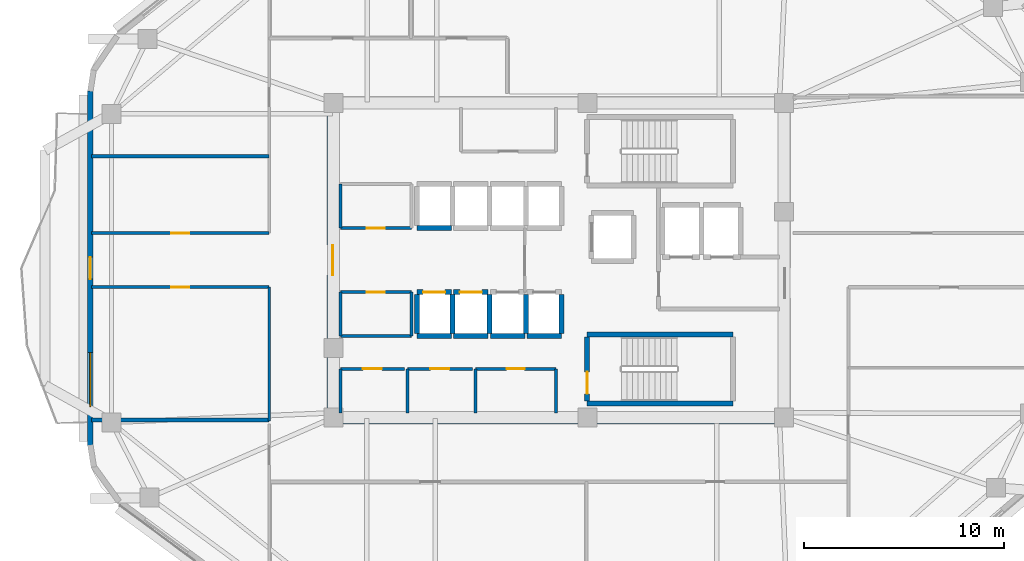
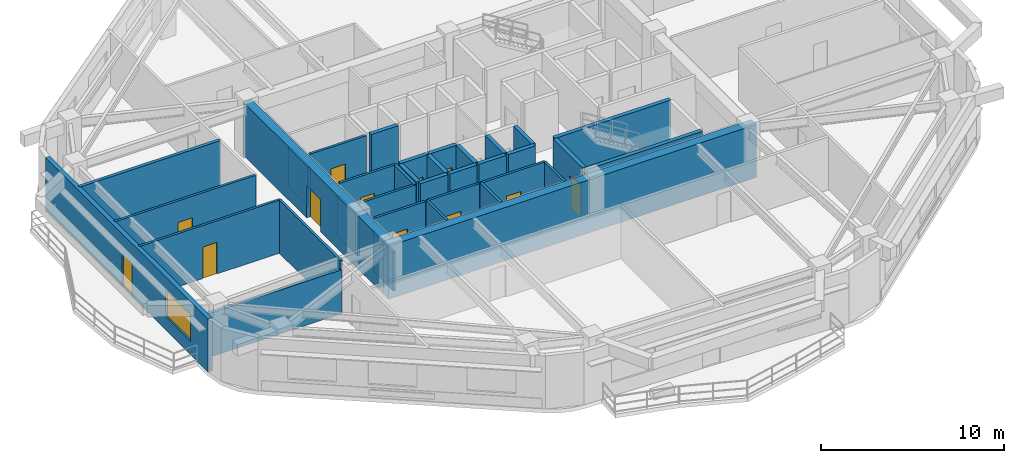
# One storey, part 3 of 9: 36 walls, 12 doors, 1 window, 13 openings.
"""IFC4 building model written with IfcOpenShell, lengths in metres."""

from ifc_helpers import new_model, si_unit, direction, frame, frame_2d, origin, place, context, subcontext, project, spatial, rectangle, extrude, material, layer, layer_set, type_object, element, fill, save


model = new_model("IFC4")

# Units and contexts
model_context = context("Model", 3, precision=1e-05, world=origin(), true_north=direction((0.0, 1.0)))
body_context = subcontext(model_context, "Body", "Model", "MODEL_VIEW")
ifc_project = project(units=[si_unit("LENGTHUNIT", "METRE"), si_unit("AREAUNIT", "SQUARE_METRE"), si_unit("VOLUMEUNIT", "CUBIC_METRE"), si_unit("PLANEANGLEUNIT", "RADIAN"), si_unit("MASSUNIT", "GRAM", prefix="KILO")], contexts=[model_context])

# Site, building, storey
site_placement = place(None, origin())
site = spatial("IfcSite", under=ifc_project, at=site_placement, CompositionType="ELEMENT")
building_placement = place(site_placement, origin())
building = spatial("IfcBuilding", under=site, at=building_placement, Name="Zulverin Broadcast Headquarters", CompositionType="ELEMENT")
storey_placement = place(building_placement, frame((0.0, 0.0, 189.60009765625)))
storey = spatial("IfcBuildingStorey", under=building, at=storey_placement, Name="L48", CompositionType="ELEMENT", Elevation=189.60009765625)

# Walls
ifc_material_1 = material(Name="Acoustic drywall steel stud", Category="steel")
ifc_layer_1 = layer(ifc_material_1, 0.199951171875, Name="Acoustic drywall steel stud", Category="steel")
ifc_layer_set_1 = layer_set([ifc_layer_1], Name="Acoustic drywall steel stud")
wall_type_1 = type_object("IfcWallType", Name="WL-ACOU-200", PredefinedType="PARTITIONING", material=ifc_layer_set_1)
wall_1_placement = place(storey_placement, frame((13.60498046875, 17.199951171875, 0.0), z_axis=(0.0, 0.0, 1.0), x_axis=(1.0, 0.0, 0.0)))
element("IfcWall", 1, at=wall_1_placement, inside=storey, type_object=wall_type_1, Name="L48 Room Partition Wall RP-09", PredefinedType="PARTITIONING", context=body_context, shape_type="SweptSolid", body=[
    extrude(rectangle(XDim=8.89501953125, YDim=0.199951171875, at=frame_2d((4.447509765625, 0.0))), origin(), (0.0, 0.0, 1.0), 2.922607421875),
])
wall_2_placement = place(storey_placement, frame((13.60498046875, 30.39990234375, 0.0), z_axis=(0.0, 0.0, 1.0), x_axis=(1.0, 0.0, 0.0)))
element("IfcWall", 2, at=wall_2_placement, inside=storey, type_object=wall_type_1, Name="L48 Room Partition Wall RP-15", PredefinedType="PARTITIONING", context=body_context, shape_type="SweptSolid", body=[
    extrude(rectangle(XDim=8.89501953125, YDim=0.199951171875, at=frame_2d((4.447509765625, 0.0))), origin(), (0.0, 0.0, 1.0), 3.539794921875),
])
ifc_material_2 = material(Name="Concrete C60/75", Category="concrete")
ifc_layer_2 = layer(ifc_material_2, 0.550048828125, Name="Concrete C60/75", Category="concrete")
ifc_layer_set_2 = layer_set([ifc_layer_2], Name="Concrete C60/75")
wall_type_2 = type_object("IfcWallType", Name="WL-CORE-550", PredefinedType="SHEAR", material=ifc_layer_set_2)
wall_3_placement = place(storey_placement, frame((25.39990234375, 17.27490234375, 0.0), z_axis=(0.0, 0.0, 1.0), x_axis=(1.0, 0.0, 0.0)))
element("IfcWall", 3, at=wall_3_placement, inside=storey, type_object=wall_type_2, Name="L48 Core South Shear Wall", PredefinedType="SHEAR", context=body_context, shape_type="SweptSolid", body=[
    extrude(rectangle(XDim=23.2001953125, YDim=0.550048828125, at=frame_2d((11.60009765625, 0.0))), origin(), (0.0, 0.0, 1.0), 3.539794921875),
])

# Wall, opening, door
wall_4_placement = place(storey_placement, frame((25.675048828125, 17.550048828125, 0.0), z_axis=(0.0, 0.0, 1.0), x_axis=(0.0, 1.0, 0.0)))
wall_4 = element("IfcWall", 4, at=wall_4_placement, inside=storey, type_object=wall_type_2, Name="L48 Core West Shear Wall", PredefinedType="SHEAR", context=body_context, shape_type="SweptSolid", body=[
    extrude(rectangle(XDim=15.300048828125, YDim=0.550048828125, at=frame_2d((7.64990234375, 0.0))), origin(), (0.0, 0.0, 1.0), 3.539794921875),
])
opening_1_placement = place(wall_4_placement, frame((6.89990234375, 0.0, 0.0)))
opening_1 = element("IfcOpeningElement", 5, at=opening_1_placement, cuts=wall_4, Name="Opening D-L48-CW1", PredefinedType="OPENING", context=body_context, shape_type="SweptSolid", body=[
    extrude(rectangle(XDim=1.5, YDim=2.14990234375, at=frame_2d((0.75, 1.074951171875))), frame((0.0, 0.284912109375, 0.0), z_axis=(0.0, -1.0, 0.0), x_axis=(1.0, 0.0, 0.0)), (0.0, 0.0, 1.0), 0.570068359375),
])
ifc_material_3 = material(Name="Fire-rated glazed steel frame", Category="steel")
door_type_1 = type_object("IfcDoorType", Name="DR-COR-1500", OperationType="DOUBLE_DOOR_SINGLE_SWING", PredefinedType="DOOR", material=ifc_material_3)
door_1_placement = place(opening_1_placement, origin())
door_1 = element("IfcDoor", 6, at=door_1_placement, inside=storey, type_object=door_type_1, Name="L48 Central Lift Lobby West Portal Door", OperationType="DOUBLE_DOOR_SINGLE_SWING", OverallHeight=2.14990234375, OverallWidth=1.5, PredefinedType="DOOR", context=body_context, shape_type="SweptSolid", body=[
    extrude(rectangle(XDim=1.5, YDim=2.14990234375, at=frame_2d((0.75, 1.074951171875))), frame((0.0, 0.02490234375, 0.0), z_axis=(0.0, -1.0, 0.0), x_axis=(1.0, 0.0, 0.0)), (0.0, 0.0, 1.0), 0.050048828125),
])
fill(opening_1, door_1)

# Wall, openings, door, window
ifc_material_4 = material(Name="Insulated pale-metal clad concrete spandrel C40/50", Category="concrete")
ifc_layer_3 = layer(ifc_material_4, 0.280029296875, Name="Insulated pale-metal clad concrete spandrel C40/50", Category="concrete")
ifc_layer_set_3 = layer_set([ifc_layer_3], Name="Insulated pale-metal clad concrete spandrel C40/50")
wall_type_3 = type_object("IfcWallType", Name="WL-EXT-280", PredefinedType="STANDARD", material=ifc_layer_set_3)
wall_5_placement = place(storey_placement, frame((13.5400390625, 33.673095703125, 0.0), z_axis=(0.0, 0.0, 1.0), x_axis=(0.0, -1.0, 0.0)))
wall_5 = element("IfcWall", 7, at=wall_5_placement, inside=storey, type_object=wall_type_3, Name="L48 Pale-Metal Clad Spandrel Wall 7", PredefinedType="STANDARD", context=body_context, shape_type="SweptSolid", body=[
    extrude(rectangle(XDim=17.751220703125, YDim=0.280029296875, at=frame_2d((8.87548828125, 0.0))), origin(), (0.0, 0.0, 1.0), 3.539794921875),
])
opening_2_placement = place(wall_5_placement, frame((8.32568359375, 0.0, 0.0)))
opening_2 = element("IfcOpeningElement", 8, at=opening_2_placement, cuts=wall_5, Name="Opening D-L48-TR7", PredefinedType="OPENING", context=body_context, shape_type="SweptSolid", body=[
    extrude(rectangle(XDim=1.10009765625, YDim=2.199951171875, at=frame_2d((0.550048828125, 1.10009765625))), frame((0.0, 0.14990234375, 0.0), z_axis=(0.0, -1.0, 0.0), x_axis=(1.0, 0.0, 0.0)), (0.0, 0.0, 1.0), 0.300048828125),
])
opening_3_placement = place(wall_5_placement, frame((13.109375, 0.0, 0.89990234375)))
opening_3 = element("IfcOpeningElement", 9, at=opening_3_placement, cuts=wall_5, Name="Opening W-L48-E71", PredefinedType="OPENING", context=body_context, shape_type="SweptSolid", body=[
    extrude(rectangle(XDim=2.699951171875, YDim=1.75, at=frame_2d((1.35009765625, 0.875))), frame((0.0, 0.14990234375, 0.0), z_axis=(0.0, -1.0, 0.0), x_axis=(1.0, 0.0, 0.0)), (0.0, 0.0, 1.0), 0.300048828125),
])
ifc_material_5 = material(Name="Thermally broken aluminium glazed", Category="aluminium")
door_type_2 = type_object("IfcDoorType", Name="DR-TERR-1100", OperationType="SINGLE_SWING_RIGHT", PredefinedType="DOOR", material=ifc_material_5)
door_2_placement = place(opening_2_placement, origin())
door_2 = element("IfcDoor", 10, at=door_2_placement, inside=storey, type_object=door_type_2, Name="L48 Planted Terrace Glazed Access Door 7", OperationType="SINGLE_SWING_RIGHT", OverallHeight=2.199951171875, OverallWidth=1.10009765625, PredefinedType="DOOR", context=body_context, shape_type="SweptSolid", body=[
    extrude(rectangle(XDim=1.10009765625, YDim=2.199951171875, at=frame_2d((0.550048828125, 1.10009765625))), frame((0.0, 0.02490234375, 0.0), z_axis=(0.0, -1.0, 0.0), x_axis=(1.0, 0.0, 0.0)), (0.0, 0.0, 1.0), 0.050048828125),
])
fill(opening_2, door_2)
ifc_material_6 = material(Name="Pale anodized aluminium frame with solar-control low-E double glazing", Category="aluminium")
window_type = type_object("IfcWindowType", Name="WIN-TWR-2700", PartitioningType="SINGLE_PANEL", PredefinedType="WINDOW", material=ifc_material_6)
window_placement = place(opening_3_placement, origin())
window = element("IfcWindow", 11, at=window_placement, inside=storey, type_object=window_type, Name="L48 Ribbon Glazing Window 7 1", OverallHeight=1.75, OverallWidth=2.699951171875, PartitioningType="SINGLE_PANEL", PredefinedType="WINDOW", context=body_context, shape_type="SweptSolid", body=[
    extrude(rectangle(XDim=2.699951171875, YDim=1.75, at=frame_2d((1.35009765625, 0.875))), frame((0.0, 0.030029296875, 0.0), z_axis=(0.0, -1.0, 0.0), x_axis=(1.0, 0.0, 0.0)), (0.0, 0.0, 1.0), 0.06005859375),
])
fill(opening_3, window)

# Wall, opening, door
ifc_material_7 = material(Name="Fire-rated gypsum stud partition", Category="gypsum")
ifc_layer_4 = layer(ifc_material_7, 0.14990234375, Name="Fire-rated gypsum stud partition", Category="gypsum")
ifc_layer_set_4 = layer_set([ifc_layer_4], Name="Fire-rated gypsum stud partition")
wall_type_4 = type_object("IfcWallType", Name="WL-PART-150", PredefinedType="PARTITIONING", material=ifc_layer_set_4)
wall_6_placement = place(storey_placement, frame((26.070068359375, 19.75, 0.0), z_axis=(0.0, 0.0, 1.0), x_axis=(1.0, 0.0, 0.0)))
wall_6 = element("IfcWall", 12, at=wall_6_placement, inside=storey, type_object=wall_type_4, Name="L48 Core Male WC Front Wall", PredefinedType="PARTITIONING", context=body_context, shape_type="SweptSolid", body=[
    extrude(rectangle(XDim=3.199951171875, YDim=0.14990234375, at=frame_2d((1.60009765625, 0.0))), origin(), (0.0, 0.0, 1.0), 3.539794921875),
])
opening_4_placement = place(wall_6_placement, frame((1.125, 0.0, 0.0)))
opening_4 = element("IfcOpeningElement", 13, at=opening_4_placement, cuts=wall_6, Name="Opening D-L48-SC1", PredefinedType="OPENING", context=body_context, shape_type="SweptSolid", body=[
    extrude(rectangle(XDim=0.949951171875, YDim=2.10009765625, at=frame_2d((0.47509765625, 1.050048828125))), frame((0.0, 0.0849609375, 0.0), z_axis=(0.0, -1.0, 0.0), x_axis=(1.0, 0.0, 0.0)), (0.0, 0.0, 1.0), 0.169921875),
])
ifc_material_8 = material(Name="Fire-rated moisture-resistant laminate leaf", Category="wood")
door_type_3 = type_object("IfcDoorType", Name="DR-WC-950", OperationType="SINGLE_SWING_LEFT", PredefinedType="DOOR", material=ifc_material_8)
door_3_placement = place(opening_4_placement, origin())
door_3 = element("IfcDoor", 14, at=door_3_placement, inside=storey, type_object=door_type_3, Name="L48 Male WC Door", OperationType="SINGLE_SWING_RIGHT", OverallHeight=2.10009765625, OverallWidth=0.949951171875, PredefinedType="DOOR", context=body_context, shape_type="SweptSolid", body=[
    extrude(rectangle(XDim=0.949951171875, YDim=2.10009765625, at=frame_2d((0.47509765625, 1.050048828125))), frame((0.0, 0.02490234375, 0.0), z_axis=(0.0, -1.0, 0.0), x_axis=(1.0, 0.0, 0.0)), (0.0, 0.0, 1.0), 0.050048828125),
])
fill(opening_4, door_3)

# Wall
wall_7_placement = place(storey_placement, frame((26.070068359375, 17.550048828125, 0.0), z_axis=(0.0, 0.0, 1.0), x_axis=(0.0, 1.0, 0.0)))
element("IfcWall", 15, at=wall_7_placement, inside=storey, type_object=wall_type_4, Name="L48 Core Male WC West Wall", PredefinedType="PARTITIONING", context=body_context, shape_type="SweptSolid", body=[
    extrude(rectangle(XDim=2.199951171875, YDim=0.14990234375, at=frame_2d((1.10009765625, 0.0))), origin(), (0.0, 0.0, 1.0), 2.639892578125),
])

# Wall, opening, door
wall_8_placement = place(storey_placement, frame((29.429931640625, 19.75, 0.0), z_axis=(0.0, 0.0, 1.0), x_axis=(1.0, 0.0, 0.0)))
wall_8 = element("IfcWall", 16, at=wall_8_placement, inside=storey, type_object=wall_type_4, Name="L48 Core Female WC Front Wall", PredefinedType="PARTITIONING", context=body_context, shape_type="SweptSolid", body=[
    extrude(rectangle(XDim=3.239990234375, YDim=0.14990234375, at=frame_2d((1.6201171875, 0.0))), origin(), (0.0, 0.0, 1.0), 3.539794921875),
])
opening_5_placement = place(wall_8_placement, frame((1.14501953125, 0.0, 0.0)))
opening_5 = element("IfcOpeningElement", 17, at=opening_5_placement, cuts=wall_8, Name="Opening D-L48-SC2", PredefinedType="OPENING", context=body_context, shape_type="SweptSolid", body=[
    extrude(rectangle(XDim=0.949951171875, YDim=2.10009765625, at=frame_2d((0.47509765625, 1.050048828125))), frame((0.0, 0.0849609375, 0.0), z_axis=(0.0, -1.0, 0.0), x_axis=(1.0, 0.0, 0.0)), (0.0, 0.0, 1.0), 0.169921875),
])
door_4_placement = place(opening_5_placement, origin())
door_4 = element("IfcDoor", 18, at=door_4_placement, inside=storey, type_object=door_type_3, Name="L48 Female WC Door", OperationType="SINGLE_SWING_LEFT", OverallHeight=2.10009765625, OverallWidth=0.949951171875, PredefinedType="DOOR", context=body_context, shape_type="SweptSolid", body=[
    extrude(rectangle(XDim=0.949951171875, YDim=2.10009765625, at=frame_2d((0.47509765625, 1.050048828125))), frame((0.0, 0.02490234375, 0.0), z_axis=(0.0, -1.0, 0.0), x_axis=(1.0, 0.0, 0.0)), (0.0, 0.0, 1.0), 0.050048828125),
])
fill(opening_5, door_4)

# Wall
wall_9_placement = place(storey_placement, frame((29.429931640625, 17.550048828125, 0.0), z_axis=(0.0, 0.0, 1.0), x_axis=(0.0, 1.0, 0.0)))
element("IfcWall", 19, at=wall_9_placement, inside=storey, type_object=wall_type_4, Name="L48 Core Female WC West Wall", PredefinedType="PARTITIONING", context=body_context, shape_type="SweptSolid", body=[
    extrude(rectangle(XDim=2.199951171875, YDim=0.14990234375, at=frame_2d((1.10009765625, 0.0))), origin(), (0.0, 0.0, 1.0), 3.539794921875),
])

# Wall, opening, door
wall_10_placement = place(storey_placement, frame((32.830078125, 19.75, 0.0), z_axis=(0.0, 0.0, 1.0), x_axis=(1.0, 0.0, 0.0)))
wall_10 = element("IfcWall", 20, at=wall_10_placement, inside=storey, type_object=wall_type_4, Name="L48 Core Cleaner Store Front Wall", PredefinedType="PARTITIONING", context=body_context, shape_type="SweptSolid", body=[
    extrude(rectangle(XDim=4.02001953125, YDim=0.14990234375, at=frame_2d((2.010009765625, 0.0))), origin(), (0.0, 0.0, 1.0), 3.539794921875),
])
opening_6_placement = place(wall_10_placement, frame((1.56005859375, 0.0, 0.0)))
opening_6 = element("IfcOpeningElement", 21, at=opening_6_placement, cuts=wall_10, Name="Opening D-L48-SC3", PredefinedType="OPENING", context=body_context, shape_type="SweptSolid", body=[
    extrude(rectangle(XDim=0.89990234375, YDim=2.10009765625, at=frame_2d((0.449951171875, 1.050048828125))), frame((0.0, 0.0849609375, 0.0), z_axis=(0.0, -1.0, 0.0), x_axis=(1.0, 0.0, 0.0)), (0.0, 0.0, 1.0), 0.169921875),
])
ifc_material_9 = material(Name="Powder-coated steel access leaf", Category="steel")
door_type_4 = type_object("IfcDoorType", Name="DR-RISER-900", OperationType="SINGLE_SWING_LEFT", PredefinedType="DOOR", material=ifc_material_9)
door_5_placement = place(opening_6_placement, origin())
door_5 = element("IfcDoor", 22, at=door_5_placement, inside=storey, type_object=door_type_4, Name="L48 Cleaner Store Door", OperationType="SINGLE_SWING_RIGHT", OverallHeight=2.10009765625, OverallWidth=0.89990234375, PredefinedType="DOOR", context=body_context, shape_type="SweptSolid", body=[
    extrude(rectangle(XDim=0.89990234375, YDim=2.10009765625, at=frame_2d((0.449951171875, 1.050048828125))), frame((0.0, 0.02490234375, 0.0), z_axis=(0.0, -1.0, 0.0), x_axis=(1.0, 0.0, 0.0)), (0.0, 0.0, 1.0), 0.050048828125),
])
fill(opening_6, door_5)

# Walls
for number, where, z_axis, x_axis, name in (
    (23, (32.830078125, 17.550048828125, 0.0), (0.0, 0.0, 1.0), (0.0, 1.0, 0.0), "L48 Core Cleaner Store West Wall"),
    (24, (36.85009765625, 17.550048828125, 0.0), (0.0, 0.0, 1.0), (0.0, 1.0, 0.0), "L48 Core Cleaner Store East Wall"),
):
    element("IfcWall", number, at=place(storey_placement, frame(where, z_axis=z_axis, x_axis=x_axis)), inside=storey, type_object=wall_type_4, Name=name, PredefinedType="PARTITIONING", context=body_context, shape_type="SweptSolid", body=[
        extrude(rectangle(XDim=2.199951171875, YDim=0.14990234375, at=frame_2d((1.10009765625, 0.0))), origin(), (0.0, 0.0, 1.0), 3.539794921875),
    ])

# Wall, opening, door
wall_11_placement = place(storey_placement, frame((26.070068359375, 26.800048828125, 0.0), z_axis=(0.0, 0.0, 1.0), x_axis=(1.0, 0.0, 0.0)))
wall_11 = element("IfcWall", 25, at=wall_11_placement, inside=storey, type_object=wall_type_4, Name="L48 Broadcast Signal Patch Room S Wall", PredefinedType="PARTITIONING", context=body_context, shape_type="SweptSolid", body=[
    extrude(rectangle(XDim=3.550048828125, YDim=0.14990234375, at=frame_2d((1.77490234375, 0.0))), origin(), (0.0, 0.0, 1.0), 3.539794921875),
])
opening_7_placement = place(wall_11_placement, frame((1.324951171875, 0.0, 0.0)))
opening_7 = element("IfcOpeningElement", 26, at=opening_7_placement, cuts=wall_11, Name="Opening D-L48-RCLN", PredefinedType="OPENING", context=body_context, shape_type="SweptSolid", body=[
    extrude(rectangle(XDim=0.89990234375, YDim=2.10009765625, at=frame_2d((0.449951171875, 1.050048828125))), frame((0.0, 0.0849609375, 0.0), z_axis=(0.0, -1.0, 0.0), x_axis=(1.0, 0.0, 0.0)), (0.0, 0.0, 1.0), 0.169921875),
])
door_6_placement = place(opening_7_placement, origin())
door_6 = element("IfcDoor", 27, at=door_6_placement, inside=storey, type_object=door_type_4, Name="L48 Broadcast Signal Patch Room Door", OperationType="SINGLE_SWING_LEFT", OverallHeight=2.10009765625, OverallWidth=0.89990234375, PredefinedType="DOOR", context=body_context, shape_type="SweptSolid", body=[
    extrude(rectangle(XDim=0.89990234375, YDim=2.10009765625, at=frame_2d((0.449951171875, 1.050048828125))), frame((0.0, 0.02490234375, 0.0), z_axis=(0.0, -1.0, 0.0), x_axis=(1.0, 0.0, 0.0)), (0.0, 0.0, 1.0), 0.050048828125),
])
fill(opening_7, door_6)

# Walls
wall_12_placement = place(storey_placement, frame((26.070068359375, 26.800048828125, 0.0), z_axis=(0.0, 0.0, 1.0), x_axis=(0.0, 1.0, 0.0)))
element("IfcWall", 28, at=wall_12_placement, inside=storey, type_object=wall_type_4, Name="L48 Broadcast Signal Patch Room W Wall", PredefinedType="PARTITIONING", context=body_context, shape_type="SweptSolid", body=[
    extrude(rectangle(XDim=2.199951171875, YDim=0.14990234375, at=frame_2d((1.10009765625, 0.0))), origin(), (0.0, 0.0, 1.0), 2.639892578125),
])
wall_13_placement = place(storey_placement, frame((26.070068359375, 21.39990234375, 0.0), z_axis=(0.0, 0.0, 1.0), x_axis=(1.0, 0.0, 0.0)))
element("IfcWall", 29, at=wall_13_placement, inside=storey, type_object=wall_type_4, Name="L48 Housekeeping Equipment Store S Wall", PredefinedType="PARTITIONING", context=body_context, shape_type="SweptSolid", body=[
    extrude(rectangle(XDim=3.550048828125, YDim=0.14990234375, at=frame_2d((1.77490234375, 0.0))), origin(), (0.0, 0.0, 1.0), 3.539794921875),
])

# Wall, opening, door
wall_14_placement = place(storey_placement, frame((26.070068359375, 23.60009765625, 0.0), z_axis=(0.0, 0.0, 1.0), x_axis=(1.0, 0.0, 0.0)))
wall_14 = element("IfcWall", 30, at=wall_14_placement, inside=storey, type_object=wall_type_4, Name="L48 Housekeeping Equipment Store N Wall", PredefinedType="PARTITIONING", context=body_context, shape_type="SweptSolid", body=[
    extrude(rectangle(XDim=3.550048828125, YDim=0.14990234375, at=frame_2d((1.77490234375, 0.0))), origin(), (0.0, 0.0, 1.0), 3.539794921875),
])
opening_8_placement = place(wall_14_placement, frame((1.324951171875, 0.0, 0.0)))
opening_8 = element("IfcOpeningElement", 31, at=opening_8_placement, cuts=wall_14, Name="Opening D-L48-RCLS", PredefinedType="OPENING", context=body_context, shape_type="SweptSolid", body=[
    extrude(rectangle(XDim=0.89990234375, YDim=2.10009765625, at=frame_2d((0.449951171875, 1.050048828125))), frame((0.0, 0.0849609375, 0.0), z_axis=(0.0, -1.0, 0.0), x_axis=(1.0, 0.0, 0.0)), (0.0, 0.0, 1.0), 0.169921875),
])
door_7_placement = place(opening_8_placement, origin())
door_7 = element("IfcDoor", 32, at=door_7_placement, inside=storey, type_object=door_type_4, Name="L48 Housekeeping Equipment Store Door", OperationType="SINGLE_SWING_RIGHT", OverallHeight=2.10009765625, OverallWidth=0.89990234375, PredefinedType="DOOR", context=body_context, shape_type="SweptSolid", body=[
    extrude(rectangle(XDim=0.89990234375, YDim=2.10009765625, at=frame_2d((0.449951171875, 1.050048828125))), frame((0.0, 0.02490234375, 0.0), z_axis=(0.0, -1.0, 0.0), x_axis=(1.0, 0.0, 0.0)), (0.0, 0.0, 1.0), 0.050048828125),
])
fill(opening_8, door_7)

# Walls
wall_15_placement = place(storey_placement, frame((26.070068359375, 21.39990234375, 0.0), z_axis=(0.0, 0.0, 1.0), x_axis=(0.0, 1.0, 0.0)))
element("IfcWall", 33, at=wall_15_placement, inside=storey, type_object=wall_type_4, Name="L48 Housekeeping Equipment Store W Wall", PredefinedType="PARTITIONING", context=body_context, shape_type="SweptSolid", body=[
    extrude(rectangle(XDim=2.2001953125, YDim=0.14990234375, at=frame_2d((1.10009765625, 0.0))), origin(), (0.0, 0.0, 1.0), 2.639892578125),
])
wall_16_placement = place(storey_placement, frame((29.6201171875, 21.39990234375, 0.0), z_axis=(0.0, 0.0, 1.0), x_axis=(0.0, 1.0, 0.0)))
element("IfcWall", 34, at=wall_16_placement, inside=storey, type_object=wall_type_4, Name="L48 Housekeeping Equipment Store E Wall", PredefinedType="PARTITIONING", context=body_context, shape_type="SweptSolid", body=[
    extrude(rectangle(XDim=2.2001953125, YDim=0.14990234375, at=frame_2d((1.10009765625, 0.0))), origin(), (0.0, 0.0, 1.0), 3.539794921875),
])
wall_17_placement = place(storey_placement, frame((22.5, 17.139892578125, 0.0), z_axis=(0.0, 0.0, 1.0), x_axis=(0.0, 1.0, 0.0)))
element("IfcWall", 35, at=wall_17_placement, inside=storey, type_object=wall_type_4, Name="L48 Gallery Partition Wall CG-06", PredefinedType="PARTITIONING", context=body_context, shape_type="SweptSolid", body=[
    extrude(rectangle(XDim=6.710205078125, YDim=0.14990234375, at=frame_2d((3.35498046875, 0.0))), origin(), (0.0, 0.0, 1.0), 3.539794921875),
])

# Wall, opening, door
wall_18_placement = place(storey_placement, frame((13.60498046875, 23.85009765625, 0.0), z_axis=(0.0, 0.0, 1.0), x_axis=(1.0, 0.0, 0.0)))
wall_18 = element("IfcWall", 36, at=wall_18_placement, inside=storey, type_object=wall_type_4, Name="L48 Gallery Partition Wall CG-11", PredefinedType="PARTITIONING", context=body_context, shape_type="SweptSolid", body=[
    extrude(rectangle(XDim=8.89501953125, YDim=0.14990234375, at=frame_2d((4.447509765625, 0.0))), origin(), (0.0, 0.0, 1.0), 3.539794921875),
])
opening_9_placement = place(wall_18_placement, frame((3.99755859375, 0.0, 0.0)))
opening_9 = element("IfcOpeningElement", 37, at=opening_9_placement, cuts=wall_18, Name="Opening D-L48-06", PredefinedType="OPENING", context=body_context, shape_type="SweptSolid", body=[
    extrude(rectangle(XDim=0.89990234375, YDim=2.10009765625, at=frame_2d((0.449951171875, 1.050048828125))), frame((0.0, 0.0849609375, 0.0), z_axis=(0.0, -1.0, 0.0), x_axis=(1.0, 0.0, 0.0)), (0.0, 0.0, 1.0), 0.169921875),
])
ifc_material_10 = material(Name="Fire-rated hardwood veneer timber leaf", Category="wood")
door_type_5 = type_object("IfcDoorType", Name="DR-ROOM-900", OperationType="SINGLE_SWING_RIGHT", PredefinedType="DOOR", material=ifc_material_10)
door_8_placement = place(opening_9_placement, origin())
door_8 = element("IfcDoor", 38, at=door_8_placement, inside=storey, type_object=door_type_5, Name="L48 Interview Room Door", OperationType="SINGLE_SWING_LEFT", OverallHeight=2.10009765625, OverallWidth=0.89990234375, PredefinedType="DOOR", context=body_context, shape_type="SweptSolid", body=[
    extrude(rectangle(XDim=0.89990234375, YDim=2.10009765625, at=frame_2d((0.449951171875, 1.050048828125))), frame((0.0, 0.02490234375, 0.0), z_axis=(0.0, -1.0, 0.0), x_axis=(1.0, 0.0, 0.0)), (0.0, 0.0, 1.0), 0.050048828125),
])
fill(opening_9, door_8)

wall_19_placement = place(storey_placement, frame((13.60498046875, 26.550048828125, 0.0), z_axis=(0.0, 0.0, 1.0), x_axis=(1.0, 0.0, 0.0)))
wall_19 = element("IfcWall", 39, at=wall_19_placement, inside=storey, type_object=wall_type_4, Name="L48 Gallery Partition Wall CG-13", PredefinedType="PARTITIONING", context=body_context, shape_type="SweptSolid", body=[
    extrude(rectangle(XDim=8.89501953125, YDim=0.14990234375, at=frame_2d((4.447509765625, 0.0))), origin(), (0.0, 0.0, 1.0), 3.539794921875),
])
opening_10_placement = place(wall_19_placement, frame((3.99755859375, 0.0, 0.0)))
opening_10 = element("IfcOpeningElement", 40, at=opening_10_placement, cuts=wall_19, Name="Opening D-L48-07", PredefinedType="OPENING", context=body_context, shape_type="SweptSolid", body=[
    extrude(rectangle(XDim=0.89990234375, YDim=2.10009765625, at=frame_2d((0.449951171875, 1.050048828125))), frame((0.0, 0.0849609375, 0.0), z_axis=(0.0, -1.0, 0.0), x_axis=(1.0, 0.0, 0.0)), (0.0, 0.0, 1.0), 0.169921875),
])
door_9_placement = place(opening_10_placement, origin())
door_9 = element("IfcDoor", 41, at=door_9_placement, inside=storey, type_object=door_type_5, Name="L48 Huddle Room Door", OperationType="SINGLE_SWING_RIGHT", OverallHeight=2.10009765625, OverallWidth=0.89990234375, PredefinedType="DOOR", context=body_context, shape_type="SweptSolid", body=[
    extrude(rectangle(XDim=0.89990234375, YDim=2.10009765625, at=frame_2d((0.449951171875, 1.050048828125))), frame((0.0, 0.02490234375, 0.0), z_axis=(0.0, -1.0, 0.0), x_axis=(1.0, 0.0, 0.0)), (0.0, 0.0, 1.0), 0.050048828125),
])
fill(opening_10, door_9)

# Walls
ifc_material_11 = material(Name="Concrete C50/60", Category="concrete")
ifc_layer_5 = layer(ifc_material_11, 0.25, Name="Concrete C50/60", Category="concrete")
ifc_layer_set_5 = layer_set([ifc_layer_5], Name="Concrete C50/60")
wall_type_5 = type_object("IfcWallType", Name="WL-SHAFT-250", PredefinedType="SHEAR", material=ifc_layer_set_5)
for number, where, z_axis, x_axis, name in (
    (42, (38.425048828125, 18.02490234375, 0.0), (0.0, 0.0, 1.0), (1.0, 0.0, 0.0), "L48 ST-2 Enclosure Wall S"),
    (43, (38.425048828125, 21.47509765625, 0.0), (0.0, 0.0, 1.0), (1.0, 0.0, 0.0), "L48 ST-2 Enclosure Wall N"),
):
    element("IfcWall", number, at=place(storey_placement, frame(where, z_axis=z_axis, x_axis=x_axis)), inside=storey, type_object=wall_type_5, Name=name, PredefinedType="SHEAR", context=body_context, shape_type="SweptSolid", body=[
        extrude(rectangle(XDim=7.300048828125, YDim=0.25, at=frame_2d((3.64990234375, 0.0))), origin(), (0.0, 0.0, 1.0), 3.539794921875),
    ])

# Wall, opening, door
wall_20_placement = place(storey_placement, frame((38.425048828125, 18.14990234375, 0.0), z_axis=(0.0, 0.0, 1.0), x_axis=(0.0, 1.0, 0.0)))
wall_20 = element("IfcWall", 44, at=wall_20_placement, inside=storey, type_object=wall_type_5, Name="L48 ST-2 Enclosure Wall W", PredefinedType="SHEAR", context=body_context, shape_type="SweptSolid", body=[
    extrude(rectangle(XDim=3.2001953125, YDim=0.25, at=frame_2d((1.60009765625, 0.0))), origin(), (0.0, 0.0, 1.0), 3.539794921875),
])
opening_11_placement = place(wall_20_placement, frame((0.35009765625, 0.0, 0.0)))
opening_11 = element("IfcOpeningElement", 45, at=opening_11_placement, cuts=wall_20, Name="Opening D-L48-ST-2", PredefinedType="OPENING", context=body_context, shape_type="SweptSolid", body=[
    extrude(rectangle(XDim=1.10009765625, YDim=2.14990234375, at=frame_2d((0.550048828125, 1.074951171875))), frame((0.0, 0.135009765625, 0.0), z_axis=(0.0, -1.0, 0.0), x_axis=(1.0, 0.0, 0.0)), (0.0, 0.0, 1.0), 0.27001953125),
])
ifc_material_12 = material(Name="Fire-rated steel leaf and frame", Category="steel")
door_type_6 = type_object("IfcDoorType", Name="DR-STAIR-1100", OperationType="SINGLE_SWING_LEFT", PredefinedType="DOOR", material=ifc_material_12)
door_10_placement = place(opening_11_placement, origin())
door_10 = element("IfcDoor", 46, at=door_10_placement, inside=storey, type_object=door_type_6, Name="L48 Exit Stair ST-2 Fire Door", OperationType="SINGLE_SWING_RIGHT", OverallHeight=2.14990234375, OverallWidth=1.10009765625, PredefinedType="DOOR", context=body_context, shape_type="SweptSolid", body=[
    extrude(rectangle(XDim=1.10009765625, YDim=2.14990234375, at=frame_2d((0.550048828125, 1.074951171875))), frame((0.0, 0.02490234375, 0.0), z_axis=(0.0, -1.0, 0.0), x_axis=(1.0, 0.0, 0.0)), (0.0, 0.0, 1.0), 0.050048828125),
])
fill(opening_11, door_10)

# Wall
wall_21_placement = place(storey_placement, frame((29.89990234375, 21.39990234375, 0.0), z_axis=(0.0, 0.0, 1.0), x_axis=(1.0, 0.0, 0.0)))
element("IfcWall", 47, at=wall_21_placement, inside=storey, type_object=wall_type_5, Name="L48 Lift PL-M1 Shaft Wall S", PredefinedType="SHEAR", context=body_context, shape_type="SweptSolid", body=[
    extrude(rectangle(XDim=1.72021484375, YDim=0.25, at=frame_2d((0.860107421875, 0.0))), origin(), (0.0, 0.0, 1.0), 3.539794921875),
])

# Wall, opening, door
wall_22_placement = place(storey_placement, frame((29.89990234375, 23.60009765625, 0.0), z_axis=(0.0, 0.0, 1.0), x_axis=(1.0, 0.0, 0.0)))
wall_22 = element("IfcWall", 48, at=wall_22_placement, inside=storey, type_object=wall_type_5, Name="L48 Lift PL-M1 Shaft Wall N", PredefinedType="SHEAR", context=body_context, shape_type="SweptSolid", body=[
    extrude(rectangle(XDim=1.72021484375, YDim=0.25, at=frame_2d((0.860107421875, 0.0))), origin(), (0.0, 0.0, 1.0), 3.539794921875),
])
opening_12_placement = place(wall_22_placement, frame((0.31005859375, 0.0, 0.0)))
opening_12 = element("IfcOpeningElement", 49, at=opening_12_placement, cuts=wall_22, Name="Opening LD-PL-M1-L48", PredefinedType="OPENING", context=body_context, shape_type="SweptSolid", body=[
    extrude(rectangle(XDim=1.10009765625, YDim=2.14990234375, at=frame_2d((0.550048828125, 1.074951171875))), frame((0.0, 0.135009765625, 0.0), z_axis=(0.0, -1.0, 0.0), x_axis=(1.0, 0.0, 0.0)), (0.0, 0.0, 1.0), 0.27001953125),
])
ifc_material_13 = material(Name="Brushed stainless steel landing", Category="steel")
door_type_7 = type_object("IfcDoorType", Name="LD-PASS-1100", OperationType="DOUBLE_DOOR_SLIDING", PredefinedType="DOOR", material=ifc_material_13)
door_11_placement = place(opening_12_placement, origin())
door_11 = element("IfcDoor", 50, at=door_11_placement, inside=storey, type_object=door_type_7, Name="L48 Lift PL-M1 Sliding Landing Door", OperationType="DOUBLE_DOOR_SLIDING", OverallHeight=2.14990234375, OverallWidth=1.10009765625, PredefinedType="DOOR", context=body_context, shape_type="SweptSolid", body=[
    extrude(rectangle(XDim=1.10009765625, YDim=2.14990234375, at=frame_2d((0.550048828125, 1.074951171875))), frame((0.0, 0.02490234375, 0.0), z_axis=(0.0, -1.0, 0.0), x_axis=(1.0, 0.0, 0.0)), (0.0, 0.0, 1.0), 0.050048828125),
])
fill(opening_12, door_11)

# Walls
for number, where, z_axis, x_axis, name in (
    (51, (29.89990234375, 21.52001953125, 0.0), (0.0, 0.0, 1.0), (0.0, 1.0, 0.0), "L48 Lift PL-M1 Shaft Wall W"),
    (52, (31.679931640625, 21.52001953125, 0.0), (0.0, 0.0, 1.0), (0.0, 1.0, 0.0), "L48 Lift PL-M1 Shaft Wall E"),
):
    element("IfcWall", number, at=place(storey_placement, frame(where, z_axis=z_axis, x_axis=x_axis)), inside=storey, type_object=wall_type_5, Name=name, PredefinedType="SHEAR", context=body_context, shape_type="SweptSolid", body=[
        extrude(rectangle(XDim=1.9599609375, YDim=0.25, at=frame_2d((0.97998046875, 0.0))), origin(), (0.0, 0.0, 1.0), 3.539794921875),
    ])
wall_23_placement = place(storey_placement, frame((31.739990234375, 21.39990234375, 0.0), z_axis=(0.0, 0.0, 1.0), x_axis=(1.0, 0.0, 0.0)))
element("IfcWall", 53, at=wall_23_placement, inside=storey, type_object=wall_type_5, Name="L48 Lift PL-M2 Shaft Wall S", PredefinedType="SHEAR", context=body_context, shape_type="SweptSolid", body=[
    extrude(rectangle(XDim=1.719970703125, YDim=0.25, at=frame_2d((0.85986328125, 0.0))), origin(), (0.0, 0.0, 1.0), 3.539794921875),
])

# Wall, opening, door
wall_24_placement = place(storey_placement, frame((31.739990234375, 23.60009765625, 0.0), z_axis=(0.0, 0.0, 1.0), x_axis=(1.0, 0.0, 0.0)))
wall_24 = element("IfcWall", 54, at=wall_24_placement, inside=storey, type_object=wall_type_5, Name="L48 Lift PL-M2 Shaft Wall N", PredefinedType="SHEAR", context=body_context, shape_type="SweptSolid", body=[
    extrude(rectangle(XDim=1.719970703125, YDim=0.25, at=frame_2d((0.85986328125, 0.0))), origin(), (0.0, 0.0, 1.0), 3.539794921875),
])
opening_13_placement = place(wall_24_placement, frame((0.31005859375, 0.0, 0.0)))
opening_13 = element("IfcOpeningElement", 55, at=opening_13_placement, cuts=wall_24, Name="Opening LD-PL-M2-L48", PredefinedType="OPENING", context=body_context, shape_type="SweptSolid", body=[
    extrude(rectangle(XDim=1.10009765625, YDim=2.14990234375, at=frame_2d((0.550048828125, 1.074951171875))), frame((0.0, 0.135009765625, 0.0), z_axis=(0.0, -1.0, 0.0), x_axis=(1.0, 0.0, 0.0)), (0.0, 0.0, 1.0), 0.27001953125),
])
door_12_placement = place(opening_13_placement, origin())
door_12 = element("IfcDoor", 56, at=door_12_placement, inside=storey, type_object=door_type_7, Name="L48 Lift PL-M2 Sliding Landing Door", OperationType="DOUBLE_DOOR_SLIDING", OverallHeight=2.14990234375, OverallWidth=1.10009765625, PredefinedType="DOOR", context=body_context, shape_type="SweptSolid", body=[
    extrude(rectangle(XDim=1.10009765625, YDim=2.14990234375, at=frame_2d((0.550048828125, 1.074951171875))), frame((0.0, 0.02490234375, 0.0), z_axis=(0.0, -1.0, 0.0), x_axis=(1.0, 0.0, 0.0)), (0.0, 0.0, 1.0), 0.050048828125),
])
fill(opening_13, door_12)

# Walls
wall_25_placement = place(storey_placement, frame((33.52001953125, 21.52001953125, 0.0), z_axis=(0.0, 0.0, 1.0), x_axis=(0.0, 1.0, 0.0)))
element("IfcWall", 57, at=wall_25_placement, inside=storey, type_object=wall_type_5, Name="L48 Lift PL-M2 Shaft Wall E", PredefinedType="SHEAR", context=body_context, shape_type="SweptSolid", body=[
    extrude(rectangle(XDim=1.9599609375, YDim=0.25, at=frame_2d((0.97998046875, 0.0))), origin(), (0.0, 0.0, 1.0), 3.539794921875),
])
wall_26_placement = place(storey_placement, frame((33.580078125, 21.39990234375, 0.0), z_axis=(0.0, 0.0, 1.0), x_axis=(1.0, 0.0, 0.0)))
element("IfcWall", 58, at=wall_26_placement, inside=storey, type_object=wall_type_5, Name="L48 Lift PL-M3 Shaft Wall S", PredefinedType="SHEAR", context=body_context, shape_type="SweptSolid", body=[
    extrude(rectangle(XDim=1.719970703125, YDim=0.25, at=frame_2d((0.85986328125, 0.0))), origin(), (0.0, 0.0, 1.0), 3.539794921875),
])
wall_27_placement = place(storey_placement, frame((35.360107421875, 21.52001953125, 0.0), z_axis=(0.0, 0.0, 1.0), x_axis=(0.0, 1.0, 0.0)))
element("IfcWall", 59, at=wall_27_placement, inside=storey, type_object=wall_type_5, Name="L48 Lift PL-M3 Shaft Wall E", PredefinedType="SHEAR", context=body_context, shape_type="SweptSolid", body=[
    extrude(rectangle(XDim=1.9599609375, YDim=0.25, at=frame_2d((0.97998046875, 0.0))), origin(), (0.0, 0.0, 1.0), 3.539794921875),
])
wall_28_placement = place(storey_placement, frame((35.419921875, 21.39990234375, 0.0), z_axis=(0.0, 0.0, 1.0), x_axis=(1.0, 0.0, 0.0)))
element("IfcWall", 60, at=wall_28_placement, inside=storey, type_object=wall_type_5, Name="L48 Lift PL-M4 Shaft Wall S", PredefinedType="SHEAR", context=body_context, shape_type="SweptSolid", body=[
    extrude(rectangle(XDim=1.719970703125, YDim=0.25, at=frame_2d((0.85986328125, 0.0))), origin(), (0.0, 0.0, 1.0), 3.539794921875),
])
wall_29_placement = place(storey_placement, frame((37.139892578125, 21.52001953125, 0.0), z_axis=(0.0, 0.0, 1.0), x_axis=(0.0, 1.0, 0.0)))
element("IfcWall", 61, at=wall_29_placement, inside=storey, type_object=wall_type_5, Name="L48 Lift PL-M4 Shaft Wall E", PredefinedType="SHEAR", context=body_context, shape_type="SweptSolid", body=[
    extrude(rectangle(XDim=1.9599609375, YDim=0.25, at=frame_2d((0.97998046875, 0.0))), origin(), (0.0, 0.0, 1.0), 3.539794921875),
])
wall_30_placement = place(storey_placement, frame((29.89990234375, 26.800048828125, 0.0), z_axis=(0.0, 0.0, 1.0), x_axis=(1.0, 0.0, 0.0)))
element("IfcWall", 62, at=wall_30_placement, inside=storey, type_object=wall_type_5, Name="L48 Lift PL-H1 Shaft Wall S", PredefinedType="SHEAR", context=body_context, shape_type="SweptSolid", body=[
    extrude(rectangle(XDim=1.72021484375, YDim=0.25, at=frame_2d((0.860107421875, 0.0))), origin(), (0.0, 0.0, 1.0), 3.539794921875),
])

save(model, "model.ifc")
